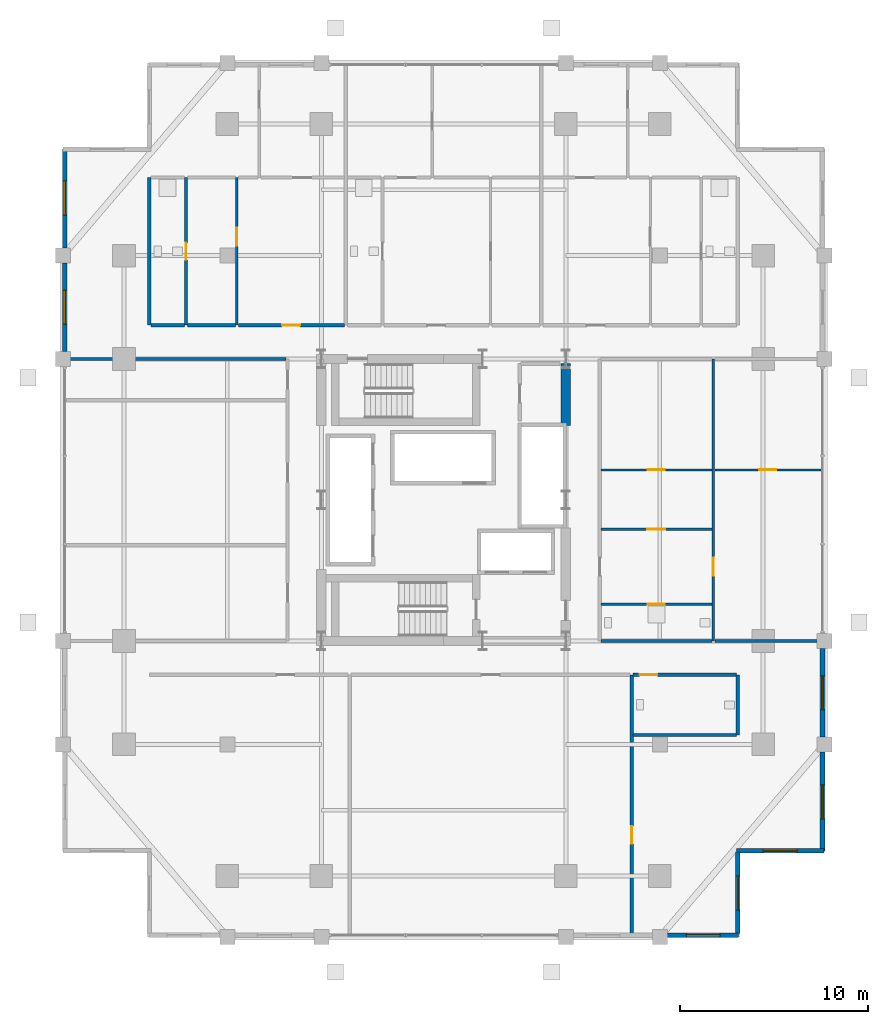
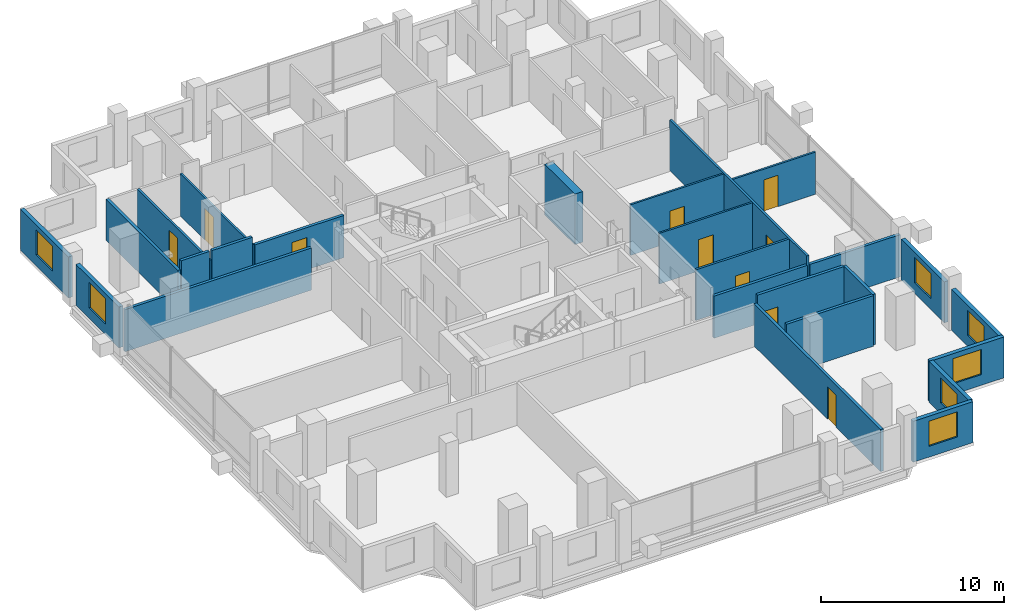
# One storey, part 15 of 19: 26 walls, 10 doors, 7 windows, 17 openings.
"""IFC4 building model written with IfcOpenShell, lengths in metres."""

from ifc_helpers import new_model, si_unit, direction, frame, frame_2d, origin, place, context, subcontext, project, spatial, rectangle, extrude, material, layer, layer_set, type_object, element, fill, save


model = new_model("IFC4")

# Units and contexts
model_context = context("Model", 3, precision=1e-05, world=origin(), true_north=direction((0.0, 1.0)))
body_context = subcontext(model_context, "Body", "Model", "MODEL_VIEW")
ifc_project = project(units=[si_unit("LENGTHUNIT", "METRE"), si_unit("AREAUNIT", "SQUARE_METRE"), si_unit("VOLUMEUNIT", "CUBIC_METRE"), si_unit("PLANEANGLEUNIT", "RADIAN"), si_unit("MASSUNIT", "GRAM", prefix="KILO")], contexts=[model_context])

# Site, building, storey
site_placement = place(None, origin())
site = spatial("IfcSite", under=ifc_project, at=site_placement, CompositionType="ELEMENT")
building_placement = place(site_placement, origin())
building = spatial("IfcBuilding", under=site, at=building_placement, Name="Barlavira Tower and Art Museum", CompositionType="ELEMENT")
storey_placement = place(building_placement, frame((0.0, 0.0, 113.39990234375)))
storey = spatial("IfcBuildingStorey", under=building, at=storey_placement, Name="L28", CompositionType="ELEMENT", Elevation=113.39990234375)

# Wall, opening, door
ifc_material_1 = material(Name="Gypsum acoustic stud partition", Category="gypsum")
ifc_layer_1 = layer(ifc_material_1, 0.1201171875, Name="Gypsum acoustic stud partition")
ifc_layer_set_1 = layer_set([ifc_layer_1], Name="Gypsum acoustic stud partition")
wall_type_1 = type_object("IfcWallType", Name="Apartment Internal Acoustic Partition 120", PredefinedType="PARTITIONING", material=ifc_layer_set_1)
wall_1_placement = place(storey_placement, frame((-11.0, 9.300048828125, 0.0), z_axis=(0.0, 0.0, 1.0), x_axis=(0.0, 1.0, 0.0)))
wall_1 = element("IfcWall", 1, at=wall_1_placement, inside=storey, type_object=wall_type_1, Name="L28 Partition Wall 3", PredefinedType="PARTITIONING", context=body_context, shape_type="SweptSolid", body=[
    extrude(rectangle(XDim=7.849853515625, YDim=0.1201171875, at=frame_2d((3.9248046875, 0.0))), origin(), (0.0, 0.0, 1.0), 2.816162109375),
])
opening_1_placement = place(wall_1_placement, frame((4.218505859375, 0.0, 0.0)))
opening_1 = element("IfcOpeningElement", 2, at=opening_1_placement, cuts=wall_1, Name="Opening D-02", PredefinedType="OPENING", context=body_context, shape_type="SweptSolid", body=[
    extrude(rectangle(XDim=0.949951171875, YDim=2.10009765625, at=frame_2d((0.47509765625, 1.050048828125))), frame((0.0, 0.070068359375, 0.0), z_axis=(0.0, -1.0, 0.0), x_axis=(1.0, 0.0, 0.0)), (0.0, 0.0, 1.0), 0.14013671875),
])
ifc_material_2 = material(Name="Engineered coastal hardwood", Category="wood")
door_type_1 = type_object("IfcDoorType", Name="Living and Salon Glazed-Leaf Door 950x2100", OperationType="NOTDEFINED", PredefinedType="DOOR", material=ifc_material_2)
door_1_placement = place(opening_1_placement, origin())
door_1 = element("IfcDoor", 3, at=door_1_placement, inside=storey, type_object=door_type_1, Name="Apartment N1 Kitchen Door", OperationType="SINGLE_SWING_LEFT", OverallHeight=2.10009765625, OverallWidth=0.949951171875, PredefinedType="DOOR", context=body_context, shape_type="SweptSolid", body=[
    extrude(rectangle(XDim=0.949951171875, YDim=2.10009765625, at=frame_2d((0.47509765625, 1.050048828125))), frame((0.0, 0.02490234375, 0.0), z_axis=(0.0, -1.0, 0.0), x_axis=(1.0, 0.0, 0.0)), (0.0, 0.0, 1.0), 0.050048828125),
])
fill(opening_1, door_1)

wall_2_placement = place(storey_placement, frame((8.3798828125, -1.550048828125, 0.0), z_axis=(0.0, 0.0, 1.0), x_axis=(1.0, 0.0, 0.0)))
wall_2 = element("IfcWall", 4, at=wall_2_placement, inside=storey, type_object=wall_type_1, Name="L28 Partition Wall 30", PredefinedType="PARTITIONING", context=body_context, shape_type="SweptSolid", body=[
    extrude(rectangle(XDim=5.89013671875, YDim=0.1201171875, at=frame_2d((2.945068359375, 0.0))), origin(), (0.0, 0.0, 1.0), 3.380126953125),
])
opening_2_placement = place(wall_2_placement, frame((2.465087890625, 0.0, 0.0)))
opening_2 = element("IfcOpeningElement", 5, at=opening_2_placement, cuts=wall_2, Name="Opening D-02", PredefinedType="OPENING", context=body_context, shape_type="SweptSolid", body=[
    extrude(rectangle(XDim=0.949951171875, YDim=2.10009765625, at=frame_2d((0.47509765625, 1.050048828125))), frame((0.0, 0.070068359375, 0.0), z_axis=(0.0, -1.0, 0.0), x_axis=(1.0, 0.0, 0.0)), (0.0, 0.0, 1.0), 0.14013671875),
])
door_2_placement = place(opening_2_placement, origin())
door_2 = element("IfcDoor", 6, at=door_2_placement, inside=storey, type_object=door_type_1, Name="Apartment E1 Kitchen Door", OperationType="SINGLE_SWING_RIGHT", OverallHeight=2.10009765625, OverallWidth=0.949951171875, PredefinedType="DOOR", context=body_context, shape_type="SweptSolid", body=[
    extrude(rectangle(XDim=0.949951171875, YDim=2.10009765625, at=frame_2d((0.47509765625, 1.050048828125))), frame((0.0, 0.02490234375, 0.0), z_axis=(0.0, -1.0, 0.0), x_axis=(1.0, 0.0, 0.0)), (0.0, 0.0, 1.0), 0.050048828125),
])
fill(opening_2, door_2)

wall_3_placement = place(storey_placement, frame((8.3798828125, 1.60009765625, 0.0), z_axis=(0.0, 0.0, 1.0), x_axis=(1.0, 0.0, 0.0)))
wall_3 = element("IfcWall", 7, at=wall_3_placement, inside=storey, type_object=wall_type_1, Name="L28 Partition Wall 31", PredefinedType="PARTITIONING", context=body_context, shape_type="SweptSolid", body=[
    extrude(rectangle(XDim=5.89013671875, YDim=0.1201171875, at=frame_2d((2.945068359375, 0.0))), origin(), (0.0, 0.0, 1.0), 3.380126953125),
])
opening_3_placement = place(wall_3_placement, frame((2.489990234375, 0.0, 0.0)))
opening_3 = element("IfcOpeningElement", 8, at=opening_3_placement, cuts=wall_3, Name="Opening D-01", PredefinedType="OPENING", context=body_context, shape_type="SweptSolid", body=[
    extrude(rectangle(XDim=0.89990234375, YDim=2.10009765625, at=frame_2d((0.449951171875, 1.050048828125))), frame((0.0, 0.070068359375, 0.0), z_axis=(0.0, -1.0, 0.0), x_axis=(1.0, 0.0, 0.0)), (0.0, 0.0, 1.0), 0.14013671875),
])
door_type_2 = type_object("IfcDoorType", Name="Internal Bedroom Timber Flush Door 900x2100", OperationType="NOTDEFINED", PredefinedType="DOOR", material=ifc_material_2)
door_3_placement = place(opening_3_placement, origin())
door_3 = element("IfcDoor", 9, at=door_3_placement, inside=storey, type_object=door_type_2, Name="Apartment E1 Walk-In Dressing Room Door", OperationType="SINGLE_SWING_LEFT", OverallHeight=2.10009765625, OverallWidth=0.89990234375, PredefinedType="DOOR", context=body_context, shape_type="SweptSolid", body=[
    extrude(rectangle(XDim=0.89990234375, YDim=2.10009765625, at=frame_2d((0.449951171875, 1.050048828125))), frame((0.0, 0.02490234375, 0.0), z_axis=(0.0, -1.0, 0.0), x_axis=(1.0, 0.0, 0.0)), (0.0, 0.0, 1.0), 0.050048828125),
])
fill(opening_3, door_3)

wall_4_placement = place(storey_placement, frame((14.429931640625, 1.60009765625, 0.0), z_axis=(0.0, 0.0, 1.0), x_axis=(1.0, 0.0, 0.0)))
wall_4 = element("IfcWall", 10, at=wall_4_placement, inside=storey, type_object=wall_type_1, Name="L28 Partition Wall 32", PredefinedType="PARTITIONING", context=body_context, shape_type="SweptSolid", body=[
    extrude(rectangle(XDim=5.64013671875, YDim=0.1201171875, at=frame_2d((2.820068359375, 0.0))), origin(), (0.0, 0.0, 1.0), 2.816162109375),
])
opening_4_placement = place(wall_4_placement, frame((2.3701171875, 0.0, 0.0)))
opening_4 = element("IfcOpeningElement", 11, at=opening_4_placement, cuts=wall_4, Name="Opening D-01", PredefinedType="OPENING", context=body_context, shape_type="SweptSolid", body=[
    extrude(rectangle(XDim=0.89990234375, YDim=2.10009765625, at=frame_2d((0.449951171875, 1.050048828125))), frame((0.0, 0.070068359375, 0.0), z_axis=(0.0, -1.0, 0.0), x_axis=(1.0, 0.0, 0.0)), (0.0, 0.0, 1.0), 0.14013671875),
])
door_4_placement = place(opening_4_placement, origin())
door_4 = element("IfcDoor", 12, at=door_4_placement, inside=storey, type_object=door_type_2, Name="Apartment E1 Bedroom 1 Door", OperationType="SINGLE_SWING_LEFT", OverallHeight=2.10009765625, OverallWidth=0.89990234375, PredefinedType="DOOR", context=body_context, shape_type="SweptSolid", body=[
    extrude(rectangle(XDim=0.89990234375, YDim=2.10009765625, at=frame_2d((0.449951171875, 1.050048828125))), frame((0.0, 0.02490234375, 0.0), z_axis=(0.0, -1.0, 0.0), x_axis=(1.0, 0.0, 0.0)), (0.0, 0.0, 1.0), 0.050048828125),
])
fill(opening_4, door_4)

# Walls
ifc_material_3 = material(Name="Concrete C60", Category="concrete")
ifc_layer_2 = layer(ifc_material_3, 0.5, Name="Concrete C60")
ifc_layer_set_2 = layer_set([ifc_layer_2], Name="Concrete C60")
wall_type_2 = type_object("IfcWallType", Name="Core Structural Shear Wall 500 Concrete C60", PredefinedType="SHEAR", material=ifc_layer_set_2)
wall_5_placement = place(storey_placement, frame((6.5, 3.949951171875, 0.0), z_axis=(0.0, 0.0, 1.0), x_axis=(0.0, 1.0, 0.0)))
element("IfcWall", 13, at=wall_5_placement, inside=storey, type_object=wall_type_2, Name="L28 Core Shear Wall CS-E2", PredefinedType="SHEAR", context=body_context, shape_type="SweptSolid", body=[
    extrude(rectangle(XDim=3.300048828125, YDim=0.5, at=frame_2d((1.64990234375, 0.0))), origin(), (0.0, 0.0, 1.0), 3.380126953125),
])
ifc_layer_3 = layer(ifc_material_1, 0.179931640625, Name="Gypsum acoustic stud partition")
ifc_layer_set_3 = layer_set([ifc_layer_3], Name="Gypsum acoustic stud partition")
wall_type_3 = type_object("IfcWallType", Name="Inter-Tenancy Party Partition Wall 180", PredefinedType="PARTITIONING", material=ifc_layer_set_3)
wall_6_placement = place(storey_placement, frame((-15.64990234375, 9.300048828125, 0.0), z_axis=(0.0, 0.0, 1.0), x_axis=(0.0, 1.0, 0.0)))
element("IfcWall", 14, at=wall_6_placement, inside=storey, type_object=wall_type_3, Name="L28 Partition Wall 1", PredefinedType="PARTITIONING", context=body_context, shape_type="SweptSolid", body=[
    extrude(rectangle(XDim=7.849853515625, YDim=0.179931640625, at=frame_2d((3.9248046875, 0.0))), origin(), (0.0, 0.0, 1.0), 2.736083984375),
])

# Wall, opening, door
wall_7_placement = place(storey_placement, frame((10.0, -23.14990234375, 0.0), z_axis=(0.0, 0.0, 1.0), x_axis=(0.0, 1.0, 0.0)))
wall_7 = element("IfcWall", 15, at=wall_7_placement, inside=storey, type_object=wall_type_3, Name="L28 Partition Wall 15", PredefinedType="PARTITIONING", context=body_context, shape_type="SweptSolid", body=[
    extrude(rectangle(XDim=13.849853515625, YDim=0.179931640625, at=frame_2d((6.9248046875, 0.0))), origin(), (0.0, 0.0, 1.0), 2.816162109375),
])
opening_5_placement = place(wall_7_placement, frame((4.85498046875, 0.0, 0.0)))
opening_5 = element("IfcOpeningElement", 16, at=opening_5_placement, cuts=wall_7, Name="Opening FD-60", PredefinedType="OPENING", context=body_context, shape_type="SweptSolid", body=[
    extrude(rectangle(XDim=0.949951171875, YDim=2.14990234375, at=frame_2d((0.47509765625, 1.074951171875))), frame((0.0, 0.10009765625, 0.0), z_axis=(0.0, -1.0, 0.0), x_axis=(1.0, 0.0, 0.0)), (0.0, 0.0, 1.0), 0.199951171875),
])
ifc_material_4 = material(Name="Brushed stainless steel", Category="steel")
door_type_3 = type_object("IfcDoorType", Name="Apartment Entrance and Riser Fire Door 950x2150 FD60S", OperationType="NOTDEFINED", PredefinedType="DOOR", material=ifc_material_4)
door_5_placement = place(opening_5_placement, origin())
door_5 = element("IfcDoor", 17, at=door_5_placement, inside=storey, type_object=door_type_3, Name="Thermal Relaxation Lounge Door", OperationType="SINGLE_SWING_LEFT", OverallHeight=2.14990234375, OverallWidth=0.949951171875, PredefinedType="DOOR", context=body_context, shape_type="SweptSolid", body=[
    extrude(rectangle(XDim=0.949951171875, YDim=2.14990234375, at=frame_2d((0.47509765625, 1.074951171875))), frame((0.0, 0.02490234375, 0.0), z_axis=(0.0, -1.0, 0.0), x_axis=(1.0, 0.0, 0.0)), (0.0, 0.0, 1.0), 0.050048828125),
])
fill(opening_5, door_5)

# Walls
wall_8_placement = place(storey_placement, frame((15.64990234375, -12.5, 0.0), z_axis=(0.0, 0.0, 1.0), x_axis=(0.0, 1.0, 0.0)))
element("IfcWall", 18, at=wall_8_placement, inside=storey, type_object=wall_type_3, Name="L28 Partition Wall 19", PredefinedType="PARTITIONING", context=body_context, shape_type="SweptSolid", body=[
    extrude(rectangle(XDim=3.199951171875, YDim=0.179931640625, at=frame_2d((1.60009765625, 0.0))), origin(), (0.0, 0.0, 1.0), 3.380126953125),
])
wall_9_placement = place(storey_placement, frame((10.080078125, -12.5, 0.0), z_axis=(0.0, 0.0, 1.0), x_axis=(1.0, 0.0, 0.0)))
element("IfcWall", 19, at=wall_9_placement, inside=storey, type_object=wall_type_3, Name="L28 Partition Wall 21", PredefinedType="PARTITIONING", context=body_context, shape_type="SweptSolid", body=[
    extrude(rectangle(XDim=5.489990234375, YDim=0.179931640625, at=frame_2d((2.7451171875, 0.0))), origin(), (0.0, 0.0, 1.0), 3.380126953125),
])

# Wall, opening, door
wall_10_placement = place(storey_placement, frame((10.080078125, -9.300048828125, 0.0), z_axis=(0.0, 0.0, 1.0), x_axis=(1.0, 0.0, 0.0)))
wall_10 = element("IfcWall", 20, at=wall_10_placement, inside=storey, type_object=wall_type_3, Name="L28 Partition Wall 24", PredefinedType="PARTITIONING", context=body_context, shape_type="SweptSolid", body=[
    extrude(rectangle(XDim=5.489990234375, YDim=0.179931640625, at=frame_2d((2.7451171875, 0.0))), origin(), (0.0, 0.0, 1.0), 3.380126953125),
])
opening_6_placement = place(wall_10_placement, frame((0.344970703125, 0.0, 0.0)))
opening_6 = element("IfcOpeningElement", 21, at=opening_6_placement, cuts=wall_10, Name="Opening FD-60", PredefinedType="OPENING", context=body_context, shape_type="SweptSolid", body=[
    extrude(rectangle(XDim=0.949951171875, YDim=2.14990234375, at=frame_2d((0.47509765625, 1.074951171875))), frame((0.0, 0.10009765625, 0.0), z_axis=(0.0, -1.0, 0.0), x_axis=(1.0, 0.0, 0.0)), (0.0, 0.0, 1.0), 0.199951171875),
])
door_6_placement = place(opening_6_placement, origin())
door_6 = element("IfcDoor", 22, at=door_6_placement, inside=storey, type_object=door_type_3, Name="Wellness Changing and Accessible Shower WC Door", OperationType="SINGLE_SWING_RIGHT", OverallHeight=2.14990234375, OverallWidth=0.949951171875, PredefinedType="DOOR", context=body_context, shape_type="SweptSolid", body=[
    extrude(rectangle(XDim=0.949951171875, YDim=2.14990234375, at=frame_2d((0.47509765625, 1.074951171875))), frame((0.0, 0.02490234375, 0.0), z_axis=(0.0, -1.0, 0.0), x_axis=(1.0, 0.0, 0.0)), (0.0, 0.0, 1.0), 0.050048828125),
])
fill(opening_6, door_6)

# Walls
wall_11_placement = place(storey_placement, frame((8.3798828125, -7.5, 0.0), z_axis=(0.0, 0.0, 1.0), x_axis=(1.0, 0.0, 0.0)))
element("IfcWall", 23, at=wall_11_placement, inside=storey, type_object=wall_type_3, Name="L28 Partition Wall 26", PredefinedType="PARTITIONING", context=body_context, shape_type="SweptSolid", body=[
    extrude(rectangle(XDim=5.89013671875, YDim=0.179931640625, at=frame_2d((2.945068359375, 0.0))), origin(), (0.0, 0.0, 1.0), 2.816162109375),
])
wall_12_placement = place(storey_placement, frame((14.429931640625, -7.5, 0.0), z_axis=(0.0, 0.0, 1.0), x_axis=(1.0, 0.0, 0.0)))
element("IfcWall", 24, at=wall_12_placement, inside=storey, type_object=wall_type_3, Name="L28 Partition Wall 27", PredefinedType="PARTITIONING", context=body_context, shape_type="SweptSolid", body=[
    extrude(rectangle(XDim=5.719970703125, YDim=0.179931640625, at=frame_2d((2.85986328125, 0.0))), origin(), (0.0, 0.0, 1.0), 2.816162109375),
])
wall_13_placement = place(storey_placement, frame((-20.14990234375, 7.5, 0.0), z_axis=(0.0, 0.0, 1.0), x_axis=(1.0, 0.0, 0.0)))
element("IfcWall", 25, at=wall_13_placement, inside=storey, type_object=wall_type_3, Name="L28 Partition Wall 35", PredefinedType="PARTITIONING", context=body_context, shape_type="SweptSolid", body=[
    extrude(rectangle(XDim=11.77001953125, YDim=0.179931640625, at=frame_2d((5.885009765625, 0.0))), origin(), (0.0, 0.0, 1.0), 2.816162109375),
])
wall_14_placement = place(storey_placement, frame((-15.570068359375, 9.300048828125, 0.0), z_axis=(0.0, 0.0, 1.0), x_axis=(1.0, 0.0, 0.0)))
element("IfcWall", 26, at=wall_14_placement, inside=storey, type_object=wall_type_3, Name="L28 Partition Wall 38", PredefinedType="PARTITIONING", context=body_context, shape_type="SweptSolid", body=[
    extrude(rectangle(XDim=1.7900390625, YDim=0.179931640625, at=frame_2d((0.89501953125, 0.0))), origin(), (0.0, 0.0, 1.0), 3.380126953125),
])
wall_15_placement = place(storey_placement, frame((-13.6201171875, 9.300048828125, 0.0), z_axis=(0.0, 0.0, 1.0), x_axis=(1.0, 0.0, 0.0)))
element("IfcWall", 27, at=wall_15_placement, inside=storey, type_object=wall_type_3, Name="L28 Partition Wall 39", PredefinedType="PARTITIONING", context=body_context, shape_type="SweptSolid", body=[
    extrude(rectangle(XDim=2.5400390625, YDim=0.179931640625, at=frame_2d((1.27001953125, 0.0))), origin(), (0.0, 0.0, 1.0), 3.380126953125),
])

# Wall, opening, door
wall_16_placement = place(storey_placement, frame((-10.919921875, 9.300048828125, 0.0), z_axis=(0.0, 0.0, 1.0), x_axis=(1.0, 0.0, 0.0)))
wall_16 = element("IfcWall", 28, at=wall_16_placement, inside=storey, type_object=wall_type_3, Name="L28 Partition Wall 40", PredefinedType="PARTITIONING", context=body_context, shape_type="SweptSolid", body=[
    extrude(rectangle(XDim=5.639892578125, YDim=0.179931640625, at=frame_2d((2.81982421875, 0.0))), origin(), (0.0, 0.0, 1.0), 2.816162109375),
])
opening_7_placement = place(wall_16_placement, frame((2.3349609375, 0.0, 0.0)))
opening_7 = element("IfcOpeningElement", 29, at=opening_7_placement, cuts=wall_16, Name="Opening FD-60", PredefinedType="OPENING", context=body_context, shape_type="SweptSolid", body=[
    extrude(rectangle(XDim=0.949951171875, YDim=2.14990234375, at=frame_2d((0.47509765625, 1.074951171875))), frame((0.0, 0.10009765625, 0.0), z_axis=(0.0, -1.0, 0.0), x_axis=(1.0, 0.0, 0.0)), (0.0, 0.0, 1.0), 0.199951171875),
])
door_7_placement = place(opening_7_placement, origin())
door_7 = element("IfcDoor", 30, at=door_7_placement, inside=storey, type_object=door_type_3, Name="Apartment Entrance Hall N1 Door", OperationType="SINGLE_SWING_RIGHT", OverallHeight=2.14990234375, OverallWidth=0.949951171875, PredefinedType="DOOR", context=body_context, shape_type="SweptSolid", body=[
    extrude(rectangle(XDim=0.949951171875, YDim=2.14990234375, at=frame_2d((0.47509765625, 1.074951171875))), frame((0.0, 0.02490234375, 0.0), z_axis=(0.0, -1.0, 0.0), x_axis=(1.0, 0.0, 0.0)), (0.0, 0.0, 1.0), 0.050048828125),
])
fill(opening_7, door_7)

ifc_layer_4 = layer(ifc_material_1, 0.139892578125, Name="Gypsum acoustic stud partition")
ifc_layer_set_4 = layer_set([ifc_layer_4], Name="Gypsum acoustic stud partition")
wall_type_4 = type_object("IfcWallType", Name="Moisture-Resistant Bathroom Partition 140", PredefinedType="PARTITIONING", material=ifc_layer_set_4)
wall_17_placement = place(storey_placement, frame((-13.699951171875, 9.300048828125, 0.0), z_axis=(0.0, 0.0, 1.0), x_axis=(0.0, 1.0, 0.0)))
wall_17 = element("IfcWall", 31, at=wall_17_placement, inside=storey, type_object=wall_type_4, Name="L28 Partition Wall 2", PredefinedType="PARTITIONING", context=body_context, shape_type="SweptSolid", body=[
    extrude(rectangle(XDim=7.849853515625, YDim=0.139892578125, at=frame_2d((3.9248046875, 0.0))), origin(), (0.0, 0.0, 1.0), 2.736083984375),
])
opening_8_placement = place(wall_17_placement, frame((3.469970703125, 0.0, 0.0)))
opening_8 = element("IfcOpeningElement", 32, at=opening_8_placement, cuts=wall_17, Name="Opening D-WC", PredefinedType="OPENING", context=body_context, shape_type="SweptSolid", body=[
    extrude(rectangle(XDim=0.89990234375, YDim=2.10009765625, at=frame_2d((0.449951171875, 1.050048828125))), frame((0.0, 0.080078125, 0.0), z_axis=(0.0, -1.0, 0.0), x_axis=(1.0, 0.0, 0.0)), (0.0, 0.0, 1.0), 0.159912109375),
])
door_type_4 = type_object("IfcDoorType", Name="Accessible Bathroom Flush Door 900x2100", OperationType="NOTDEFINED", PredefinedType="DOOR", material=ifc_material_2)
door_8_placement = place(opening_8_placement, origin())
door_8 = element("IfcDoor", 33, at=door_8_placement, inside=storey, type_object=door_type_4, Name="Apartment N1 Hall Bathroom Door", OperationType="SINGLE_SWING_RIGHT", OverallHeight=2.10009765625, OverallWidth=0.89990234375, PredefinedType="DOOR", context=body_context, shape_type="SweptSolid", body=[
    extrude(rectangle(XDim=0.89990234375, YDim=2.10009765625, at=frame_2d((0.449951171875, 1.050048828125))), frame((0.0, 0.02490234375, 0.0), z_axis=(0.0, -1.0, 0.0), x_axis=(1.0, 0.0, 0.0)), (0.0, 0.0, 1.0), 0.050048828125),
])
fill(opening_8, door_8)

wall_18_placement = place(storey_placement, frame((14.35009765625, -7.5, 0.0), z_axis=(0.0, 0.0, 1.0), x_axis=(0.0, 1.0, 0.0)))
wall_18 = element("IfcWall", 34, at=wall_18_placement, inside=storey, type_object=wall_type_4, Name="L28 Partition Wall 18", PredefinedType="PARTITIONING", context=body_context, shape_type="SweptSolid", body=[
    extrude(rectangle(XDim=15.0, YDim=0.139892578125, at=frame_2d((7.5, 0.0))), origin(), (0.0, 0.0, 1.0), 3.380126953125),
])
opening_9_placement = place(wall_18_placement, frame((3.47509765625, 0.0, 0.0)))
opening_9 = element("IfcOpeningElement", 35, at=opening_9_placement, cuts=wall_18, Name="Opening D-02", PredefinedType="OPENING", context=body_context, shape_type="SweptSolid", body=[
    extrude(rectangle(XDim=0.949951171875, YDim=2.10009765625, at=frame_2d((0.47509765625, 1.050048828125))), frame((0.0, 0.080078125, 0.0), z_axis=(0.0, -1.0, 0.0), x_axis=(1.0, 0.0, 0.0)), (0.0, 0.0, 1.0), 0.159912109375),
])
door_9_placement = place(opening_9_placement, origin())
door_9 = element("IfcDoor", 36, at=door_9_placement, inside=storey, type_object=door_type_1, Name="Apartment E1 Living Lounge Door", OperationType="SINGLE_SWING_RIGHT", OverallHeight=2.10009765625, OverallWidth=0.949951171875, PredefinedType="DOOR", context=body_context, shape_type="SweptSolid", body=[
    extrude(rectangle(XDim=0.949951171875, YDim=2.10009765625, at=frame_2d((0.47509765625, 1.050048828125))), frame((0.0, 0.02490234375, 0.0), z_axis=(0.0, -1.0, 0.0), x_axis=(1.0, 0.0, 0.0)), (0.0, 0.0, 1.0), 0.050048828125),
])
fill(opening_9, door_9)

wall_19_placement = place(storey_placement, frame((8.3798828125, -5.550048828125, 0.0), z_axis=(0.0, 0.0, 1.0), x_axis=(1.0, 0.0, 0.0)))
wall_19 = element("IfcWall", 37, at=wall_19_placement, inside=storey, type_object=wall_type_4, Name="L28 Partition Wall 28", PredefinedType="PARTITIONING", context=body_context, shape_type="SweptSolid", body=[
    extrude(rectangle(XDim=5.89013671875, YDim=0.139892578125, at=frame_2d((2.945068359375, 0.0))), origin(), (0.0, 0.0, 1.0), 3.380126953125),
])
opening_10_placement = place(wall_19_placement, frame((2.489990234375, 0.0, 0.0)))
opening_10 = element("IfcOpeningElement", 38, at=opening_10_placement, cuts=wall_19, Name="Opening D-WC", PredefinedType="OPENING", context=body_context, shape_type="SweptSolid", body=[
    extrude(rectangle(XDim=0.89990234375, YDim=2.10009765625, at=frame_2d((0.449951171875, 1.050048828125))), frame((0.0, 0.080078125, 0.0), z_axis=(0.0, -1.0, 0.0), x_axis=(1.0, 0.0, 0.0)), (0.0, 0.0, 1.0), 0.159912109375),
])
door_10_placement = place(opening_10_placement, origin())
door_10 = element("IfcDoor", 39, at=door_10_placement, inside=storey, type_object=door_type_4, Name="Apartment E1 Hall Bathroom Door", OperationType="SINGLE_SWING_RIGHT", OverallHeight=2.10009765625, OverallWidth=0.89990234375, PredefinedType="DOOR", context=body_context, shape_type="SweptSolid", body=[
    extrude(rectangle(XDim=0.89990234375, YDim=2.10009765625, at=frame_2d((0.449951171875, 1.050048828125))), frame((0.0, 0.02490234375, 0.0), z_axis=(0.0, -1.0, 0.0), x_axis=(1.0, 0.0, 0.0)), (0.0, 0.0, 1.0), 0.050048828125),
])
fill(opening_10, door_10)

# Wall, opening, window
ifc_material_5 = material(Name="Precast concrete C40", Category="concrete")
ifc_layer_5 = layer(ifc_material_5, 0.25, Name="Precast concrete C40")
ifc_layer_set_5 = layer_set([ifc_layer_5], Name="Precast concrete C40")
wall_type_5 = type_object("IfcWallType", Name="Notched Corner Spandrel Wall 250 Precast Concrete C40", PredefinedType="SOLIDWALL", material=ifc_layer_set_5)
wall_20_placement = place(storey_placement, frame((11.89501953125, -23.14990234375, 0.0), z_axis=(0.0, 0.0, 1.0), x_axis=(1.0, 0.0, 0.0)))
wall_20 = element("IfcWall", 40, at=wall_20_placement, inside=storey, type_object=wall_type_5, Name="L28 Coastal Facade Pier Wall CW2-L28-S-5", PredefinedType="SOLIDWALL", context=body_context, shape_type="SweptSolid", body=[
    extrude(rectangle(XDim=3.780029296875, YDim=0.25, at=frame_2d((1.89013671875, 0.0))), origin(), (0.0, 0.0, 1.0), 2.736083984375),
])
opening_11_placement = place(wall_20_placement, frame((1.012939453125, 0.0, 0.719970703125)))
opening_11 = element("IfcOpeningElement", 41, at=opening_11_placement, cuts=wall_20, Name="Opening WN-01", PredefinedType="OPENING", context=body_context, shape_type="SweptSolid", body=[
    extrude(rectangle(XDim=1.800048828125, YDim=1.679931640625, at=frame_2d((0.89990234375, 0.83984375))), frame((0.0, 0.135009765625, 0.0), z_axis=(0.0, -1.0, 0.0), x_axis=(1.0, 0.0, 0.0)), (0.0, 0.0, 1.0), 0.27001953125),
])
ifc_material_6 = material(Name="Low-iron coastal laminated glass", Category="glass")
window_type = type_object("IfcWindowType", Name="Recessed Notch Corner Punch Window 1800x1680", PartitioningType="SINGLE_PANEL", PredefinedType="WINDOW", material=ifc_material_6)
window_1_placement = place(opening_11_placement, origin())
window_1 = element("IfcWindow", 42, at=window_1_placement, inside=storey, type_object=window_type, Name="L28 Punched Facade Window EWP-CW2-L28-S-5-1", OverallHeight=1.679931640625, OverallWidth=1.800048828125, PartitioningType="SINGLE_PANEL", PredefinedType="WINDOW", context=body_context, shape_type="SweptSolid", body=[
    extrude(rectangle(XDim=1.800048828125, YDim=1.679931640625, at=frame_2d((0.89990234375, 0.83984375))), frame((0.0, 0.030029296875, 0.0), z_axis=(0.0, -1.0, 0.0), x_axis=(1.0, 0.0, 0.0)), (0.0, 0.0, 1.0), 0.06005859375),
])
fill(opening_11, window_1)

wall_21_placement = place(storey_placement, frame((-20.14990234375, 18.675048828125, 0.0), z_axis=(0.0, 0.0, 1.0), x_axis=(0.0, -1.0, 0.0)))
wall_21 = element("IfcWall", 43, at=wall_21_placement, inside=storey, type_object=wall_type_5, Name="L28 Coastal Facade Pier Wall CW2-L28-W-1", PredefinedType="SOLIDWALL", context=body_context, shape_type="SweptSolid", body=[
    extrude(rectangle(XDim=5.280029296875, YDim=0.25, at=frame_2d((2.64013671875, 0.0))), origin(), (0.0, 0.0, 1.0), 2.736083984375),
])
opening_12_placement = place(wall_21_placement, frame((1.718017578125, 0.0, 0.719970703125)))
opening_12 = element("IfcOpeningElement", 44, at=opening_12_placement, cuts=wall_21, Name="Opening WN-01", PredefinedType="OPENING", context=body_context, shape_type="SweptSolid", body=[
    extrude(rectangle(XDim=1.800048828125, YDim=1.679931640625, at=frame_2d((0.89990234375, 0.83984375))), frame((0.0, 0.135009765625, 0.0), z_axis=(0.0, -1.0, 0.0), x_axis=(1.0, 0.0, 0.0)), (0.0, 0.0, 1.0), 0.27001953125),
])
window_2_placement = place(opening_12_placement, origin())
window_2 = element("IfcWindow", 45, at=window_2_placement, inside=storey, type_object=window_type, Name="L28 Punched Facade Window EWP-CW2-L28-W-1-1", OverallHeight=1.679931640625, OverallWidth=1.800048828125, PartitioningType="SINGLE_PANEL", PredefinedType="WINDOW", context=body_context, shape_type="SweptSolid", body=[
    extrude(rectangle(XDim=1.800048828125, YDim=1.679931640625, at=frame_2d((0.89990234375, 0.83984375))), frame((0.0, 0.030029296875, 0.0), z_axis=(0.0, -1.0, 0.0), x_axis=(1.0, 0.0, 0.0)), (0.0, 0.0, 1.0), 0.06005859375),
])
fill(opening_12, window_2)

wall_22_placement = place(storey_placement, frame((-20.14990234375, 12.60498046875, 0.0), z_axis=(0.0, 0.0, 1.0), x_axis=(0.0, -1.0, 0.0)))
wall_22 = element("IfcWall", 46, at=wall_22_placement, inside=storey, type_object=wall_type_5, Name="L28 Coastal Facade Pier Wall CW2-L28-W-2", PredefinedType="SOLIDWALL", context=body_context, shape_type="SweptSolid", body=[
    extrude(rectangle(XDim=4.7099609375, YDim=0.25, at=frame_2d((2.35498046875, 0.0))), origin(), (0.0, 0.0, 1.0), 2.736083984375),
])
opening_13_placement = place(wall_22_placement, frame((1.455078125, 0.0, 0.719970703125)))
opening_13 = element("IfcOpeningElement", 47, at=opening_13_placement, cuts=wall_22, Name="Opening WN-01", PredefinedType="OPENING", context=body_context, shape_type="SweptSolid", body=[
    extrude(rectangle(XDim=1.800048828125, YDim=1.679931640625, at=frame_2d((0.89990234375, 0.83984375))), frame((0.0, 0.135009765625, 0.0), z_axis=(0.0, -1.0, 0.0), x_axis=(1.0, 0.0, 0.0)), (0.0, 0.0, 1.0), 0.27001953125),
])
window_3_placement = place(opening_13_placement, origin())
window_3 = element("IfcWindow", 48, at=window_3_placement, inside=storey, type_object=window_type, Name="L28 Punched Facade Window EWP-CW2-L28-W-2-1", OverallHeight=1.679931640625, OverallWidth=1.800048828125, PartitioningType="SINGLE_PANEL", PredefinedType="WINDOW", context=body_context, shape_type="SweptSolid", body=[
    extrude(rectangle(XDim=1.800048828125, YDim=1.679931640625, at=frame_2d((0.89990234375, 0.83984375))), frame((0.0, 0.030029296875, 0.0), z_axis=(0.0, -1.0, 0.0), x_axis=(1.0, 0.0, 0.0)), (0.0, 0.0, 1.0), 0.06005859375),
])
fill(opening_13, window_3)

wall_23_placement = place(storey_placement, frame((20.14990234375, -18.675048828125, 0.0), z_axis=(0.0, 0.0, 1.0), x_axis=(0.0, 1.0, 0.0)))
wall_23 = element("IfcWall", 49, at=wall_23_placement, inside=storey, type_object=wall_type_5, Name="L28 Coastal Facade Pier Wall CW2-L28-E-1", PredefinedType="SOLIDWALL", context=body_context, shape_type="SweptSolid", body=[
    extrude(rectangle(XDim=5.280029296875, YDim=0.25, at=frame_2d((2.64013671875, 0.0))), origin(), (0.0, 0.0, 1.0), 2.736083984375),
])
opening_14_placement = place(wall_23_placement, frame((1.718017578125, 0.0, 0.719970703125)))
opening_14 = element("IfcOpeningElement", 50, at=opening_14_placement, cuts=wall_23, Name="Opening WN-01", PredefinedType="OPENING", context=body_context, shape_type="SweptSolid", body=[
    extrude(rectangle(XDim=1.800048828125, YDim=1.679931640625, at=frame_2d((0.89990234375, 0.83984375))), frame((0.0, 0.135009765625, 0.0), z_axis=(0.0, -1.0, 0.0), x_axis=(1.0, 0.0, 0.0)), (0.0, 0.0, 1.0), 0.27001953125),
])
window_4_placement = place(opening_14_placement, origin())
window_4 = element("IfcWindow", 51, at=window_4_placement, inside=storey, type_object=window_type, Name="L28 Punched Facade Window EWP-CW2-L28-E-1-1", OverallHeight=1.679931640625, OverallWidth=1.800048828125, PartitioningType="SINGLE_PANEL", PredefinedType="WINDOW", context=body_context, shape_type="SweptSolid", body=[
    extrude(rectangle(XDim=1.800048828125, YDim=1.679931640625, at=frame_2d((0.89990234375, 0.83984375))), frame((0.0, 0.030029296875, 0.0), z_axis=(0.0, -1.0, 0.0), x_axis=(1.0, 0.0, 0.0)), (0.0, 0.0, 1.0), 0.06005859375),
])
fill(opening_14, window_4)

wall_24_placement = place(storey_placement, frame((20.14990234375, -12.60498046875, 0.0), z_axis=(0.0, 0.0, 1.0), x_axis=(0.0, 1.0, 0.0)))
wall_24 = element("IfcWall", 52, at=wall_24_placement, inside=storey, type_object=wall_type_5, Name="L28 Coastal Facade Pier Wall CW2-L28-E-2", PredefinedType="SOLIDWALL", context=body_context, shape_type="SweptSolid", body=[
    extrude(rectangle(XDim=4.7099609375, YDim=0.25, at=frame_2d((2.35498046875, 0.0))), origin(), (0.0, 0.0, 1.0), 2.736083984375),
])
opening_15_placement = place(wall_24_placement, frame((1.455078125, 0.0, 0.719970703125)))
opening_15 = element("IfcOpeningElement", 53, at=opening_15_placement, cuts=wall_24, Name="Opening WN-01", PredefinedType="OPENING", context=body_context, shape_type="SweptSolid", body=[
    extrude(rectangle(XDim=1.800048828125, YDim=1.679931640625, at=frame_2d((0.89990234375, 0.83984375))), frame((0.0, 0.135009765625, 0.0), z_axis=(0.0, -1.0, 0.0), x_axis=(1.0, 0.0, 0.0)), (0.0, 0.0, 1.0), 0.27001953125),
])
window_5_placement = place(opening_15_placement, origin())
window_5 = element("IfcWindow", 54, at=window_5_placement, inside=storey, type_object=window_type, Name="L28 Punched Facade Window EWP-CW2-L28-E-2-1", OverallHeight=1.679931640625, OverallWidth=1.800048828125, PartitioningType="SINGLE_PANEL", PredefinedType="WINDOW", context=body_context, shape_type="SweptSolid", body=[
    extrude(rectangle(XDim=1.800048828125, YDim=1.679931640625, at=frame_2d((0.89990234375, 0.83984375))), frame((0.0, 0.030029296875, 0.0), z_axis=(0.0, -1.0, 0.0), x_axis=(1.0, 0.0, 0.0)), (0.0, 0.0, 1.0), 0.06005859375),
])
fill(opening_15, window_5)

wall_25_placement = place(storey_placement, frame((15.64990234375, -23.070068359375, 0.0), z_axis=(0.0, 0.0, 1.0), x_axis=(0.0, 1.0, 0.0)))
wall_25 = element("IfcWall", 55, at=wall_25_placement, inside=storey, type_object=wall_type_5, Name="L28 Notch Corner Wall SE1", PredefinedType="SOLIDWALL", context=body_context, shape_type="SweptSolid", body=[
    extrude(rectangle(XDim=4.340087890625, YDim=0.25, at=frame_2d((2.169921875, 0.0))), origin(), (0.0, 0.0, 1.0), 2.736083984375),
])
opening_16_placement = place(wall_25_placement, frame((1.27001953125, 0.0, 0.719970703125)))
opening_16 = element("IfcOpeningElement", 56, at=opening_16_placement, cuts=wall_25, Name="Opening WN-01", PredefinedType="OPENING", context=body_context, shape_type="SweptSolid", body=[
    extrude(rectangle(XDim=1.800048828125, YDim=1.679931640625, at=frame_2d((0.89990234375, 0.83984375))), frame((0.0, 0.135009765625, 0.0), z_axis=(0.0, -1.0, 0.0), x_axis=(1.0, 0.0, 0.0)), (0.0, 0.0, 1.0), 0.27001953125),
])
window_6_placement = place(opening_16_placement, origin())
window_6 = element("IfcWindow", 57, at=window_6_placement, inside=storey, type_object=window_type, Name="L28 Punched Facade Window EW-NTC-L28-SE1-1", OverallHeight=1.679931640625, OverallWidth=1.800048828125, PartitioningType="SINGLE_PANEL", PredefinedType="WINDOW", context=body_context, shape_type="SweptSolid", body=[
    extrude(rectangle(XDim=1.800048828125, YDim=1.679931640625, at=frame_2d((0.89990234375, 0.83984375))), frame((0.0, 0.030029296875, 0.0), z_axis=(0.0, -1.0, 0.0), x_axis=(1.0, 0.0, 0.0)), (0.0, 0.0, 1.0), 0.06005859375),
])
fill(opening_16, window_6)

wall_26_placement = place(storey_placement, frame((15.570068359375, -18.64990234375, 0.0), z_axis=(0.0, 0.0, 1.0), x_axis=(1.0, 0.0, 0.0)))
wall_26 = element("IfcWall", 58, at=wall_26_placement, inside=storey, type_object=wall_type_5, Name="L28 Notch Corner Wall SE2", PredefinedType="SOLIDWALL", context=body_context, shape_type="SweptSolid", body=[
    extrude(rectangle(XDim=4.659912109375, YDim=0.25, at=frame_2d((2.330078125, 0.0))), origin(), (0.0, 0.0, 1.0), 2.736083984375),
])
opening_17_placement = place(wall_26_placement, frame((1.429931640625, 0.0, 0.719970703125)))
opening_17 = element("IfcOpeningElement", 59, at=opening_17_placement, cuts=wall_26, Name="Opening WN-01", PredefinedType="OPENING", context=body_context, shape_type="SweptSolid", body=[
    extrude(rectangle(XDim=1.800048828125, YDim=1.679931640625, at=frame_2d((0.89990234375, 0.83984375))), frame((0.0, 0.135009765625, 0.0), z_axis=(0.0, -1.0, 0.0), x_axis=(1.0, 0.0, 0.0)), (0.0, 0.0, 1.0), 0.27001953125),
])
window_7_placement = place(opening_17_placement, origin())
window_7 = element("IfcWindow", 60, at=window_7_placement, inside=storey, type_object=window_type, Name="L28 Punched Facade Window EW-NTC-L28-SE2-1", OverallHeight=1.679931640625, OverallWidth=1.800048828125, PartitioningType="SINGLE_PANEL", PredefinedType="WINDOW", context=body_context, shape_type="SweptSolid", body=[
    extrude(rectangle(XDim=1.800048828125, YDim=1.679931640625, at=frame_2d((0.89990234375, 0.83984375))), frame((0.0, 0.030029296875, 0.0), z_axis=(0.0, -1.0, 0.0), x_axis=(1.0, 0.0, 0.0)), (0.0, 0.0, 1.0), 0.06005859375),
])
fill(opening_17, window_7)

save(model, "model.ifc")
